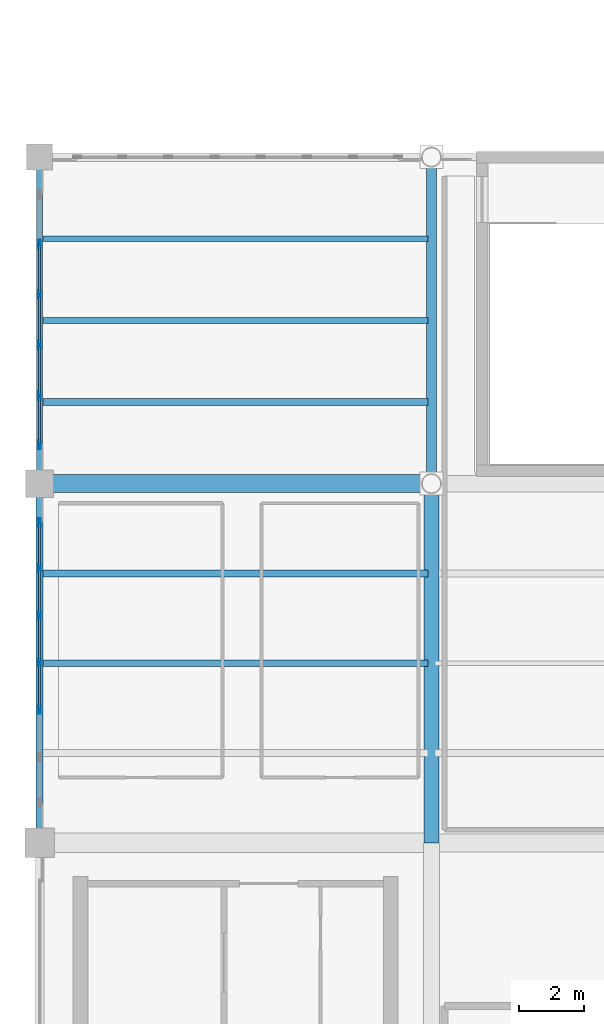
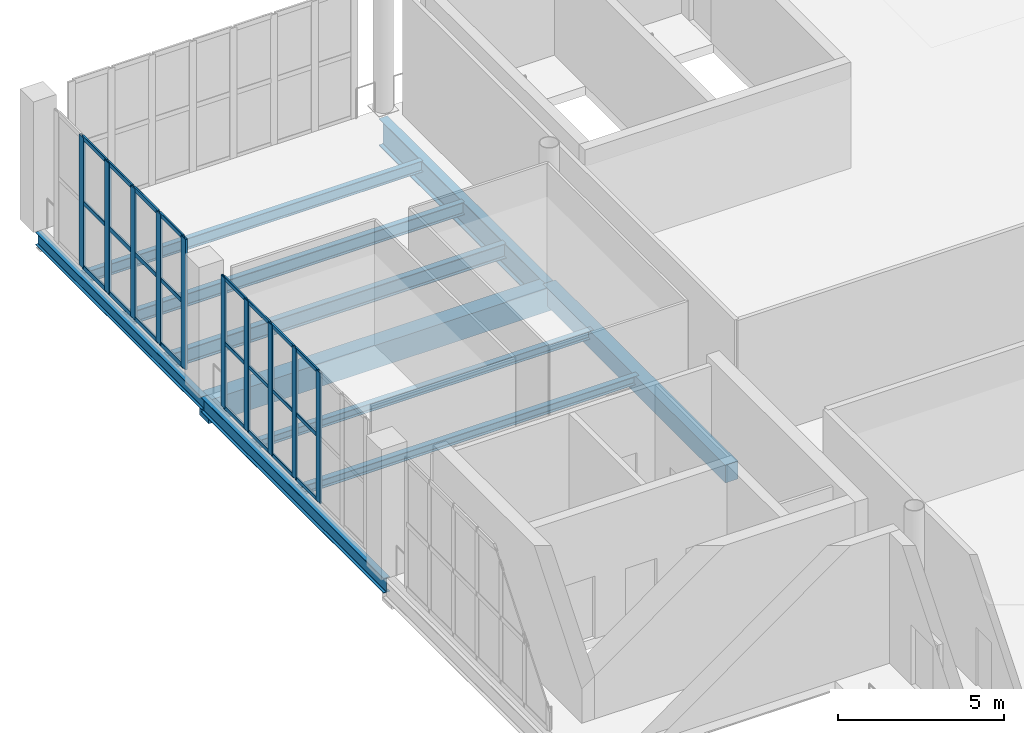
# One storey, part 23 of 49: 34 members, 10 beams, 2 elements without a shape of their own.
"""IFC4 building model written with IfcOpenShell, lengths in metres."""

from ifc_helpers import new_model, si_unit, direction, frame, origin, origin_2d, place, context, subcontext, project, spatial, rectangle, hollow_rectangle, i_section, extrude, material, layer, layer_set, material_profile, profile_set, type_object, element, aggregate, save


model = new_model("IFC4")

# Units and contexts
model_context = context("Model", 3, precision=1e-05, world=origin(), true_north=direction((0.0, 1.0)))
body_context = subcontext(model_context, "Body", "Model", "MODEL_VIEW")
ifc_project = project(units=[si_unit("LENGTHUNIT", "METRE"), si_unit("AREAUNIT", "SQUARE_METRE"), si_unit("VOLUMEUNIT", "CUBIC_METRE"), si_unit("PLANEANGLEUNIT", "RADIAN"), si_unit("MASSUNIT", "GRAM", prefix="KILO")], contexts=[model_context])

# Site, building, storey
site_placement = place(None, origin())
site = spatial("IfcSite", under=ifc_project, at=site_placement, CompositionType="ELEMENT")
building_placement = place(site_placement, origin())
building = spatial("IfcBuilding", under=site, at=building_placement, Name="Brinegate Civic Arena", CompositionType="ELEMENT")
storey_placement = place(building_placement, frame((0.0, 0.0, 24.60009765625)))
storey = spatial("IfcBuildingStorey", under=building, at=storey_placement, Name="L05", CompositionType="ELEMENT", Elevation=24.60009765625)

# Curtain wall, members
ifc_material_1 = material(Name="Marine grade aluminium", Category="aluminium")
ifc_layer = layer(ifc_material_1, 0.199951171875, Name="Marine grade aluminium")
ifc_layer_set = layer_set([ifc_layer], Name="Marine grade aluminium")
curtain_wall_type = type_object("IfcCurtainWallType", Name="CW-BOWL-GLAZED-01", PredefinedType="USERDEFINED", material=ifc_layer_set)
curtain_wall_1_placement = place(storey_placement, origin())
curtain_wall_1 = element("IfcCurtainWall", 1, at=curtain_wall_1_placement, inside=storey, type_object=curtain_wall_type, Name="Curtain Wall CWA-162", ObjectType="GLAZED CURTAIN WALL", PredefinedType="USERDEFINED")
ifc_material_profile_1 = material_profile(ifc_material_1, hollow_rectangle(XDim=0.074951171875, YDim=0.25, WallThickness=0.006103515625, InnerFilletRadius=0.00390625, OuterFilletRadius=0.008056640625, at=origin_2d()), Name="MUL75X250")
ifc_profile_set_1 = profile_set([ifc_material_profile_1], Name="Marine grade aluminium")
member_type_1 = type_object("IfcMemberType", Name="CW-MULLION-75X250", PredefinedType="MULLION", material=ifc_profile_set_1)
member_1_placement = place(storey_placement, frame((48.0, 97.07373046875, 0.0), z_axis=(0.0, 0.0, 1.0), x_axis=(-1.0, 0.0, 0.0)))
member_1 = element("IfcMember", 2, at=member_1_placement, type_object=member_type_1, Name="CWA-162 mullion 3", PredefinedType="MULLION", context=body_context, shape_type="SweptSolid", body=[
    extrude(hollow_rectangle(XDim=0.074951171875, YDim=0.25, WallThickness=0.006103515625, InnerFilletRadius=0.00390625, OuterFilletRadius=0.008056640625, at=origin_2d()), origin(), (0.0, 0.0, 1.0), 4.7998046875),
])
member_2_placement = place(storey_placement, frame((48.0, 98.517578125, 0.0), z_axis=(0.0, 0.0, 1.0), x_axis=(-1.0, 0.0, 0.0)))
member_2 = element("IfcMember", 3, at=member_2_placement, type_object=member_type_1, Name="CWA-162 mullion 4", PredefinedType="MULLION", context=body_context, shape_type="SweptSolid", body=[
    extrude(hollow_rectangle(XDim=0.074951171875, YDim=0.25, WallThickness=0.006103515625, InnerFilletRadius=0.00390625, OuterFilletRadius=0.008056640625, at=origin_2d()), origin(), (0.0, 0.0, 1.0), 4.7998046875),
])
member_3_placement = place(storey_placement, frame((48.0, 99.96142578125, 0.0), z_axis=(0.0, 0.0, 1.0), x_axis=(-1.0, 0.0, 0.0)))
member_3 = element("IfcMember", 4, at=member_3_placement, type_object=member_type_1, Name="CWA-162 mullion 5", PredefinedType="MULLION", context=body_context, shape_type="SweptSolid", body=[
    extrude(hollow_rectangle(XDim=0.074951171875, YDim=0.25, WallThickness=0.006103515625, InnerFilletRadius=0.00390625, OuterFilletRadius=0.008056640625, at=origin_2d()), origin(), (0.0, 0.0, 1.0), 4.7998046875),
])
member_4_placement = place(storey_placement, frame((48.0, 101.4052734375, 0.0), z_axis=(0.0, 0.0, 1.0), x_axis=(-1.0, 0.0, 0.0)))
member_4 = element("IfcMember", 5, at=member_4_placement, type_object=member_type_1, Name="CWA-162 mullion 6", PredefinedType="MULLION", context=body_context, shape_type="SweptSolid", body=[
    extrude(hollow_rectangle(XDim=0.074951171875, YDim=0.25, WallThickness=0.006103515625, InnerFilletRadius=0.00390625, OuterFilletRadius=0.008056640625, at=origin_2d()), origin(), (0.0, 0.0, 1.0), 4.7998046875),
])
member_5_placement = place(storey_placement, frame((48.0, 102.8115234375, 0.0), z_axis=(0.0, 0.0, 1.0), x_axis=(-1.0, 0.0, 0.0)))
member_5 = element("IfcMember", 6, at=member_5_placement, type_object=member_type_1, Name="CWA-162 mullion 7", PredefinedType="MULLION", context=body_context, shape_type="SweptSolid", body=[
    extrude(hollow_rectangle(XDim=0.074951171875, YDim=0.25, WallThickness=0.006103515625, InnerFilletRadius=0.00390625, OuterFilletRadius=0.008056640625, at=origin_2d()), origin(), (0.0, 0.0, 1.0), 4.7998046875),
])

curtain_wall_2_placement = place(storey_placement, origin())
curtain_wall_2 = element("IfcCurtainWall", 7, at=curtain_wall_2_placement, inside=storey, type_object=curtain_wall_type, Name="Curtain Wall CWA-163", ObjectType="GLAZED CURTAIN WALL", PredefinedType="USERDEFINED")
ifc_material_profile_2 = material_profile(ifc_material_1, hollow_rectangle(XDim=0.080078125, YDim=0.280029296875, WallThickness=0.007080078125, InnerFilletRadius=0.0048828125, OuterFilletRadius=0.010009765625, at=origin_2d()), Name="MUL80X280")
ifc_profile_set_2 = profile_set([ifc_material_profile_2], Name="Marine grade aluminium")
member_type_2 = type_object("IfcMemberType", Name="CW-MULLION-80X280", PredefinedType="MULLION", material=ifc_profile_set_2)
member_6_placement = place(storey_placement, frame((48.0, 105.19091796875, 0.0), z_axis=(0.0, 0.0, 1.0), x_axis=(-1.0, 0.0, 0.0)))
member_6 = element("IfcMember", 8, at=member_6_placement, type_object=member_type_2, Name="CWA-163 mullion 1", PredefinedType="MULLION", context=body_context, shape_type="SweptSolid", body=[
    extrude(hollow_rectangle(XDim=0.080078125, YDim=0.280029296875, WallThickness=0.007080078125, InnerFilletRadius=0.0048828125, OuterFilletRadius=0.010009765625, at=origin_2d()), origin(), (0.0, 0.0, 1.0), 4.7998046875),
])
member_7_placement = place(storey_placement, frame((48.0, 106.697509765625, 0.0), z_axis=(0.0, 0.0, 1.0), x_axis=(-1.0, 0.0, 0.0)))
member_7 = element("IfcMember", 9, at=member_7_placement, type_object=member_type_2, Name="CWA-163 mullion 2", PredefinedType="MULLION", context=body_context, shape_type="SweptSolid", body=[
    extrude(hollow_rectangle(XDim=0.080078125, YDim=0.280029296875, WallThickness=0.007080078125, InnerFilletRadius=0.0048828125, OuterFilletRadius=0.010009765625, at=origin_2d()), origin(), (0.0, 0.0, 1.0), 4.7998046875),
])
member_8_placement = place(storey_placement, frame((48.0, 108.244140625, 0.0), z_axis=(0.0, 0.0, 1.0), x_axis=(-1.0, 0.0, 0.0)))
member_8 = element("IfcMember", 10, at=member_8_placement, type_object=member_type_2, Name="CWA-163 mullion 3", PredefinedType="MULLION", context=body_context, shape_type="SweptSolid", body=[
    extrude(hollow_rectangle(XDim=0.080078125, YDim=0.280029296875, WallThickness=0.007080078125, InnerFilletRadius=0.0048828125, OuterFilletRadius=0.010009765625, at=origin_2d()), origin(), (0.0, 0.0, 1.0), 4.7998046875),
])
member_9_placement = place(storey_placement, frame((48.0, 109.790771484375, 0.0), z_axis=(0.0, 0.0, 1.0), x_axis=(-1.0, 0.0, 0.0)))
member_9 = element("IfcMember", 11, at=member_9_placement, type_object=member_type_2, Name="CWA-163 mullion 4", PredefinedType="MULLION", context=body_context, shape_type="SweptSolid", body=[
    extrude(hollow_rectangle(XDim=0.080078125, YDim=0.280029296875, WallThickness=0.007080078125, InnerFilletRadius=0.0048828125, OuterFilletRadius=0.010009765625, at=origin_2d()), origin(), (0.0, 0.0, 1.0), 4.7998046875),
])
member_10_placement = place(storey_placement, frame((48.0, 111.33740234375, 0.0), z_axis=(0.0, 0.0, 1.0), x_axis=(-1.0, 0.0, 0.0)))
member_10 = element("IfcMember", 12, at=member_10_placement, type_object=member_type_2, Name="CWA-163 mullion 5", PredefinedType="MULLION", context=body_context, shape_type="SweptSolid", body=[
    extrude(hollow_rectangle(XDim=0.080078125, YDim=0.280029296875, WallThickness=0.007080078125, InnerFilletRadius=0.0048828125, OuterFilletRadius=0.010009765625, at=origin_2d()), origin(), (0.0, 0.0, 1.0), 4.7998046875),
])

# Member
ifc_material_profile_3 = material_profile(ifc_material_1, hollow_rectangle(XDim=0.06494140625, YDim=0.139892578125, WallThickness=0.0048828125, InnerFilletRadius=0.00390625, OuterFilletRadius=0.008056640625, at=origin_2d()), Name="TRN65X140")
ifc_profile_set_3 = profile_set([ifc_material_profile_3], Name="Marine grade aluminium")
member_type_3 = type_object("IfcMemberType", Name="CW-TRANSOM-65X140", PredefinedType="USERDEFINED", material=ifc_profile_set_3)
member_11_placement = place(storey_placement, frame((48.0, 97.111083984375, 0.032470703125), z_axis=(0.0, 1.0, 0.0), x_axis=(-1.0, 0.0, 0.0)))
member_11 = element("IfcMember", 13, at=member_11_placement, type_object=member_type_3, Name="CWA-162 transom 3.1", ObjectType="TRANSOM", PredefinedType="USERDEFINED", context=body_context, shape_type="SweptSolid", body=[
    extrude(hollow_rectangle(XDim=0.06494140625, YDim=0.139892578125, WallThickness=0.0048828125, InnerFilletRadius=0.00390625, OuterFilletRadius=0.008056640625, at=origin_2d()), origin(), (0.0, 0.0, 1.0), 1.368896484375),
])

member_12_placement = place(storey_placement, frame((48.0, 97.111083984375, 2.39990234375), z_axis=(0.0, 1.0, 0.0), x_axis=(-1.0, 0.0, 0.0)))
member_12 = element("IfcMember", 14, at=member_12_placement, type_object=member_type_3, Name="CWA-162 transom 3.2", ObjectType="TRANSOM", PredefinedType="USERDEFINED", context=body_context, shape_type="SweptSolid", body=[
    extrude(hollow_rectangle(XDim=0.06494140625, YDim=0.139892578125, WallThickness=0.0048828125, InnerFilletRadius=0.00390625, OuterFilletRadius=0.008056640625, at=origin_2d()), origin(), (0.0, 0.0, 1.0), 1.368896484375),
])

member_13_placement = place(storey_placement, frame((48.0, 97.111083984375, 4.767333984375), z_axis=(0.0, 1.0, 0.0), x_axis=(-1.0, 0.0, 0.0)))
member_13 = element("IfcMember", 15, at=member_13_placement, type_object=member_type_3, Name="CWA-162 transom 3.3", ObjectType="TRANSOM", PredefinedType="USERDEFINED", context=body_context, shape_type="SweptSolid", body=[
    extrude(hollow_rectangle(XDim=0.06494140625, YDim=0.139892578125, WallThickness=0.0048828125, InnerFilletRadius=0.00390625, OuterFilletRadius=0.008056640625, at=origin_2d()), origin(), (0.0, 0.0, 1.0), 1.368896484375),
])

member_14_placement = place(storey_placement, frame((48.0, 98.554931640625, 0.032470703125), z_axis=(0.0, 1.0, 0.0), x_axis=(-1.0, 0.0, 0.0)))
member_14 = element("IfcMember", 16, at=member_14_placement, type_object=member_type_3, Name="CWA-162 transom 4.1", ObjectType="TRANSOM", PredefinedType="USERDEFINED", context=body_context, shape_type="SweptSolid", body=[
    extrude(hollow_rectangle(XDim=0.06494140625, YDim=0.139892578125, WallThickness=0.0048828125, InnerFilletRadius=0.00390625, OuterFilletRadius=0.008056640625, at=origin_2d()), origin(), (0.0, 0.0, 1.0), 1.368896484375),
])

member_15_placement = place(storey_placement, frame((48.0, 98.554931640625, 2.39990234375), z_axis=(0.0, 1.0, 0.0), x_axis=(-1.0, 0.0, 0.0)))
member_15 = element("IfcMember", 17, at=member_15_placement, type_object=member_type_3, Name="CWA-162 transom 4.2", ObjectType="TRANSOM", PredefinedType="USERDEFINED", context=body_context, shape_type="SweptSolid", body=[
    extrude(hollow_rectangle(XDim=0.06494140625, YDim=0.139892578125, WallThickness=0.0048828125, InnerFilletRadius=0.00390625, OuterFilletRadius=0.008056640625, at=origin_2d()), origin(), (0.0, 0.0, 1.0), 1.368896484375),
])

member_16_placement = place(storey_placement, frame((48.0, 98.554931640625, 4.767333984375), z_axis=(0.0, 1.0, 0.0), x_axis=(-1.0, 0.0, 0.0)))
member_16 = element("IfcMember", 18, at=member_16_placement, type_object=member_type_3, Name="CWA-162 transom 4.3", ObjectType="TRANSOM", PredefinedType="USERDEFINED", context=body_context, shape_type="SweptSolid", body=[
    extrude(hollow_rectangle(XDim=0.06494140625, YDim=0.139892578125, WallThickness=0.0048828125, InnerFilletRadius=0.00390625, OuterFilletRadius=0.008056640625, at=origin_2d()), origin(), (0.0, 0.0, 1.0), 1.368896484375),
])

member_17_placement = place(storey_placement, frame((48.0, 99.998779296875, 0.032470703125), z_axis=(0.0, 1.0, 0.0), x_axis=(-1.0, 0.0, 0.0)))
member_17 = element("IfcMember", 19, at=member_17_placement, type_object=member_type_3, Name="CWA-162 transom 5.1", ObjectType="TRANSOM", PredefinedType="USERDEFINED", context=body_context, shape_type="SweptSolid", body=[
    extrude(hollow_rectangle(XDim=0.06494140625, YDim=0.139892578125, WallThickness=0.0048828125, InnerFilletRadius=0.00390625, OuterFilletRadius=0.008056640625, at=origin_2d()), origin(), (0.0, 0.0, 1.0), 1.368896484375),
])

member_18_placement = place(storey_placement, frame((48.0, 99.998779296875, 2.39990234375), z_axis=(0.0, 1.0, 0.0), x_axis=(-1.0, 0.0, 0.0)))
member_18 = element("IfcMember", 20, at=member_18_placement, type_object=member_type_3, Name="CWA-162 transom 5.2", ObjectType="TRANSOM", PredefinedType="USERDEFINED", context=body_context, shape_type="SweptSolid", body=[
    extrude(hollow_rectangle(XDim=0.06494140625, YDim=0.139892578125, WallThickness=0.0048828125, InnerFilletRadius=0.00390625, OuterFilletRadius=0.008056640625, at=origin_2d()), origin(), (0.0, 0.0, 1.0), 1.368896484375),
])

member_19_placement = place(storey_placement, frame((48.0, 99.998779296875, 4.767333984375), z_axis=(0.0, 1.0, 0.0), x_axis=(-1.0, 0.0, 0.0)))
member_19 = element("IfcMember", 21, at=member_19_placement, type_object=member_type_3, Name="CWA-162 transom 5.3", ObjectType="TRANSOM", PredefinedType="USERDEFINED", context=body_context, shape_type="SweptSolid", body=[
    extrude(hollow_rectangle(XDim=0.06494140625, YDim=0.139892578125, WallThickness=0.0048828125, InnerFilletRadius=0.00390625, OuterFilletRadius=0.008056640625, at=origin_2d()), origin(), (0.0, 0.0, 1.0), 1.368896484375),
])

member_20_placement = place(storey_placement, frame((48.0, 101.442626953125, 0.032470703125), z_axis=(0.0, 1.0, 0.0), x_axis=(-1.0, 0.0, 0.0)))
member_20 = element("IfcMember", 22, at=member_20_placement, type_object=member_type_3, Name="CWA-162 transom 6.1", ObjectType="TRANSOM", PredefinedType="USERDEFINED", context=body_context, shape_type="SweptSolid", body=[
    extrude(hollow_rectangle(XDim=0.06494140625, YDim=0.139892578125, WallThickness=0.0048828125, InnerFilletRadius=0.00390625, OuterFilletRadius=0.008056640625, at=origin_2d()), origin(), (0.0, 0.0, 1.0), 1.331298828125),
])

member_21_placement = place(storey_placement, frame((48.0, 101.442626953125, 2.39990234375), z_axis=(0.0, 1.0, 0.0), x_axis=(-1.0, 0.0, 0.0)))
member_21 = element("IfcMember", 23, at=member_21_placement, type_object=member_type_3, Name="CWA-162 transom 6.2", ObjectType="TRANSOM", PredefinedType="USERDEFINED", context=body_context, shape_type="SweptSolid", body=[
    extrude(hollow_rectangle(XDim=0.06494140625, YDim=0.139892578125, WallThickness=0.0048828125, InnerFilletRadius=0.00390625, OuterFilletRadius=0.008056640625, at=origin_2d()), origin(), (0.0, 0.0, 1.0), 1.331298828125),
])

member_22_placement = place(storey_placement, frame((48.0, 101.442626953125, 4.767333984375), z_axis=(0.0, 1.0, 0.0), x_axis=(-1.0, 0.0, 0.0)))
member_22 = element("IfcMember", 24, at=member_22_placement, type_object=member_type_3, Name="CWA-162 transom 6.3", ObjectType="TRANSOM", PredefinedType="USERDEFINED", context=body_context, shape_type="SweptSolid", body=[
    extrude(hollow_rectangle(XDim=0.06494140625, YDim=0.139892578125, WallThickness=0.0048828125, InnerFilletRadius=0.00390625, OuterFilletRadius=0.008056640625, at=origin_2d()), origin(), (0.0, 0.0, 1.0), 1.331298828125),
])

aggregate(curtain_wall_1, [member_1, member_2, member_3, member_4, member_5, member_11, member_12, member_13, member_14, member_15, member_16, member_17, member_18, member_19, member_20, member_21, member_22])

ifc_material_profile_4 = material_profile(ifc_material_1, hollow_rectangle(XDim=0.06494140625, YDim=0.1650390625, WallThickness=0.0048828125, InnerFilletRadius=0.00390625, OuterFilletRadius=0.008056640625, at=origin_2d()), Name="TRN65X165")
ifc_profile_set_4 = profile_set([ifc_material_profile_4], Name="Marine grade aluminium")
member_type_4 = type_object("IfcMemberType", Name="CW-TRANSOM-65X165", PredefinedType="USERDEFINED", material=ifc_profile_set_4)
member_23_placement = place(storey_placement, frame((48.0, 105.23095703125, 0.032470703125), z_axis=(0.0, 1.0, 0.0), x_axis=(-1.0, 0.0, 0.0)))
member_23 = element("IfcMember", 25, at=member_23_placement, type_object=member_type_4, Name="CWA-163 transom 1.1", ObjectType="TRANSOM", PredefinedType="USERDEFINED", context=body_context, shape_type="SweptSolid", body=[
    extrude(hollow_rectangle(XDim=0.06494140625, YDim=0.1650390625, WallThickness=0.0048828125, InnerFilletRadius=0.00390625, OuterFilletRadius=0.008056640625, at=origin_2d()), origin(), (0.0, 0.0, 1.0), 1.4267578125),
])

member_24_placement = place(storey_placement, frame((48.0, 105.23095703125, 2.39990234375), z_axis=(0.0, 1.0, 0.0), x_axis=(-1.0, 0.0, 0.0)))
member_24 = element("IfcMember", 26, at=member_24_placement, type_object=member_type_4, Name="CWA-163 transom 1.2", ObjectType="TRANSOM", PredefinedType="USERDEFINED", context=body_context, shape_type="SweptSolid", body=[
    extrude(hollow_rectangle(XDim=0.06494140625, YDim=0.1650390625, WallThickness=0.0048828125, InnerFilletRadius=0.00390625, OuterFilletRadius=0.008056640625, at=origin_2d()), origin(), (0.0, 0.0, 1.0), 1.4267578125),
])

member_25_placement = place(storey_placement, frame((48.0, 105.23095703125, 4.767333984375), z_axis=(0.0, 1.0, 0.0), x_axis=(-1.0, 0.0, 0.0)))
member_25 = element("IfcMember", 27, at=member_25_placement, type_object=member_type_4, Name="CWA-163 transom 1.3", ObjectType="TRANSOM", PredefinedType="USERDEFINED", context=body_context, shape_type="SweptSolid", body=[
    extrude(hollow_rectangle(XDim=0.06494140625, YDim=0.1650390625, WallThickness=0.0048828125, InnerFilletRadius=0.00390625, OuterFilletRadius=0.008056640625, at=origin_2d()), origin(), (0.0, 0.0, 1.0), 1.4267578125),
])

member_26_placement = place(storey_placement, frame((48.0, 106.737548828125, 0.032470703125), z_axis=(0.0, 1.0, 0.0), x_axis=(-1.0, 0.0, 0.0)))
member_26 = element("IfcMember", 28, at=member_26_placement, type_object=member_type_4, Name="CWA-163 transom 2.1", ObjectType="TRANSOM", PredefinedType="USERDEFINED", context=body_context, shape_type="SweptSolid", body=[
    extrude(hollow_rectangle(XDim=0.06494140625, YDim=0.1650390625, WallThickness=0.0048828125, InnerFilletRadius=0.00390625, OuterFilletRadius=0.008056640625, at=origin_2d()), origin(), (0.0, 0.0, 1.0), 1.466552734375),
])

member_27_placement = place(storey_placement, frame((48.0, 106.737548828125, 2.39990234375), z_axis=(0.0, 1.0, 0.0), x_axis=(-1.0, 0.0, 0.0)))
member_27 = element("IfcMember", 29, at=member_27_placement, type_object=member_type_4, Name="CWA-163 transom 2.2", ObjectType="TRANSOM", PredefinedType="USERDEFINED", context=body_context, shape_type="SweptSolid", body=[
    extrude(hollow_rectangle(XDim=0.06494140625, YDim=0.1650390625, WallThickness=0.0048828125, InnerFilletRadius=0.00390625, OuterFilletRadius=0.008056640625, at=origin_2d()), origin(), (0.0, 0.0, 1.0), 1.466552734375),
])

member_28_placement = place(storey_placement, frame((48.0, 106.737548828125, 4.767333984375), z_axis=(0.0, 1.0, 0.0), x_axis=(-1.0, 0.0, 0.0)))
member_28 = element("IfcMember", 30, at=member_28_placement, type_object=member_type_4, Name="CWA-163 transom 2.3", ObjectType="TRANSOM", PredefinedType="USERDEFINED", context=body_context, shape_type="SweptSolid", body=[
    extrude(hollow_rectangle(XDim=0.06494140625, YDim=0.1650390625, WallThickness=0.0048828125, InnerFilletRadius=0.00390625, OuterFilletRadius=0.008056640625, at=origin_2d()), origin(), (0.0, 0.0, 1.0), 1.466552734375),
])

member_29_placement = place(storey_placement, frame((48.0, 108.2841796875, 0.032470703125), z_axis=(0.0, 1.0, 0.0), x_axis=(-1.0, 0.0, 0.0)))
member_29 = element("IfcMember", 31, at=member_29_placement, type_object=member_type_4, Name="CWA-163 transom 3.1", ObjectType="TRANSOM", PredefinedType="USERDEFINED", context=body_context, shape_type="SweptSolid", body=[
    extrude(hollow_rectangle(XDim=0.06494140625, YDim=0.1650390625, WallThickness=0.0048828125, InnerFilletRadius=0.00390625, OuterFilletRadius=0.008056640625, at=origin_2d()), origin(), (0.0, 0.0, 1.0), 1.466552734375),
])

member_30_placement = place(storey_placement, frame((48.0, 108.2841796875, 2.39990234375), z_axis=(0.0, 1.0, 0.0), x_axis=(-1.0, 0.0, 0.0)))
member_30 = element("IfcMember", 32, at=member_30_placement, type_object=member_type_4, Name="CWA-163 transom 3.2", ObjectType="TRANSOM", PredefinedType="USERDEFINED", context=body_context, shape_type="SweptSolid", body=[
    extrude(hollow_rectangle(XDim=0.06494140625, YDim=0.1650390625, WallThickness=0.0048828125, InnerFilletRadius=0.00390625, OuterFilletRadius=0.008056640625, at=origin_2d()), origin(), (0.0, 0.0, 1.0), 1.466552734375),
])

member_31_placement = place(storey_placement, frame((48.0, 108.2841796875, 4.767333984375), z_axis=(0.0, 1.0, 0.0), x_axis=(-1.0, 0.0, 0.0)))
member_31 = element("IfcMember", 33, at=member_31_placement, type_object=member_type_4, Name="CWA-163 transom 3.3", ObjectType="TRANSOM", PredefinedType="USERDEFINED", context=body_context, shape_type="SweptSolid", body=[
    extrude(hollow_rectangle(XDim=0.06494140625, YDim=0.1650390625, WallThickness=0.0048828125, InnerFilletRadius=0.00390625, OuterFilletRadius=0.008056640625, at=origin_2d()), origin(), (0.0, 0.0, 1.0), 1.466552734375),
])

member_32_placement = place(storey_placement, frame((48.0, 109.830810546875, 0.032470703125), z_axis=(0.0, 1.0, 0.0), x_axis=(-1.0, 0.0, 0.0)))
member_32 = element("IfcMember", 34, at=member_32_placement, type_object=member_type_4, Name="CWA-163 transom 4.1", ObjectType="TRANSOM", PredefinedType="USERDEFINED", context=body_context, shape_type="SweptSolid", body=[
    extrude(hollow_rectangle(XDim=0.06494140625, YDim=0.1650390625, WallThickness=0.0048828125, InnerFilletRadius=0.00390625, OuterFilletRadius=0.008056640625, at=origin_2d()), origin(), (0.0, 0.0, 1.0), 1.466552734375),
])

member_33_placement = place(storey_placement, frame((48.0, 109.830810546875, 2.39990234375), z_axis=(0.0, 1.0, 0.0), x_axis=(-1.0, 0.0, 0.0)))
member_33 = element("IfcMember", 35, at=member_33_placement, type_object=member_type_4, Name="CWA-163 transom 4.2", ObjectType="TRANSOM", PredefinedType="USERDEFINED", context=body_context, shape_type="SweptSolid", body=[
    extrude(hollow_rectangle(XDim=0.06494140625, YDim=0.1650390625, WallThickness=0.0048828125, InnerFilletRadius=0.00390625, OuterFilletRadius=0.008056640625, at=origin_2d()), origin(), (0.0, 0.0, 1.0), 1.466552734375),
])

member_34_placement = place(storey_placement, frame((48.0, 109.830810546875, 4.767333984375), z_axis=(0.0, 1.0, 0.0), x_axis=(-1.0, 0.0, 0.0)))
member_34 = element("IfcMember", 36, at=member_34_placement, type_object=member_type_4, Name="CWA-163 transom 4.3", ObjectType="TRANSOM", PredefinedType="USERDEFINED", context=body_context, shape_type="SweptSolid", body=[
    extrude(hollow_rectangle(XDim=0.06494140625, YDim=0.1650390625, WallThickness=0.0048828125, InnerFilletRadius=0.00390625, OuterFilletRadius=0.008056640625, at=origin_2d()), origin(), (0.0, 0.0, 1.0), 1.466552734375),
])

aggregate(curtain_wall_2, [member_6, member_7, member_8, member_9, member_10, member_23, member_24, member_25, member_26, member_27, member_28, member_29, member_30, member_31, member_32, member_33, member_34])

# Beams
ifc_material_2 = material(Name="Steel S355", Category="steel")
ifc_material_profile_5 = material_profile(ifc_material_2, i_section(OverallWidth=0.300048828125, OverallDepth=1.0, WebThickness=0.01904296875, FlangeThickness=0.031982421875, FilletRadius=0.02392578125, at=origin_2d()), Name="W1000X321")
ifc_profile_set_5 = profile_set([ifc_material_profile_5], Name="Steel S355")
beam_type_1 = type_object("IfcBeamType", Name="GIRDER-W1000X321", PredefinedType="BEAM", material=ifc_profile_set_5)
beam_1_placement = place(storey_placement, frame((60.0, 104.0, -0.830078125), z_axis=(0.0, 1.0, 0.0), x_axis=(-1.0, 0.0, 0.0)))
element("IfcBeam", 37, at=beam_1_placement, inside=storey, type_object=beam_type_1, Name="Floor Girder BM-L05-GY-05-10", PredefinedType="BEAM", context=body_context, shape_type="SweptSolid", body=[
    extrude(i_section(OverallWidth=0.300048828125, OverallDepth=1.0, WebThickness=0.01904296875, FlangeThickness=0.031982421875, FilletRadius=0.02392578125, at=origin_2d()), origin(), (0.0, 0.0, 1.0), 10.0),
])
ifc_material_profile_6 = material_profile(ifc_material_2, i_section(OverallWidth=0.202880859375, OverallDepth=0.302978515625, WebThickness=0.008056640625, FlangeThickness=0.012939453125, FilletRadius=0.012939453125, at=origin_2d()), Name="W310X60")
ifc_profile_set_6 = profile_set([ifc_material_profile_6], Name="Steel S355")
beam_type_2 = type_object("IfcBeamType", Name="JOIST-W310X60", PredefinedType="JOIST", material=ifc_profile_set_6)
beam_2_placement = place(storey_placement, frame((48.10595703125, 101.25, -0.481201171875), z_axis=(1.0, 0.0, 0.0), x_axis=(0.0, 1.0, 0.0)))
element("IfcBeam", 38, at=beam_2_placement, inside=storey, type_object=beam_type_2, Name="Secondary Joist BM-L05-JX-04-09-3", PredefinedType="JOIST", context=body_context, shape_type="SweptSolid", body=[
    extrude(i_section(OverallWidth=0.202880859375, OverallDepth=0.302978515625, WebThickness=0.008056640625, FlangeThickness=0.012939453125, FilletRadius=0.012939453125, at=origin_2d()), origin(), (0.0, 0.0, 1.0), 11.7880859375),
])
ifc_material_profile_7 = material_profile(ifc_material_2, i_section(OverallWidth=0.205078125, OverallDepth=0.31005859375, WebThickness=0.009033203125, FlangeThickness=0.01611328125, FilletRadius=0.012939453125, at=origin_2d()), Name="W310X74")
ifc_profile_set_7 = profile_set([ifc_material_profile_7], Name="Steel S355")
beam_type_3 = type_object("IfcBeamType", Name="JOIST-W310X74", PredefinedType="JOIST", material=ifc_profile_set_7)
beam_3_placement = place(storey_placement, frame((48.10595703125, 98.5, -0.485107421875), z_axis=(1.0, 0.0, 0.0), x_axis=(0.0, 1.0, 0.0)))
element("IfcBeam", 39, at=beam_3_placement, inside=storey, type_object=beam_type_3, Name="Secondary Joist BM-L05-JX-04-09-2", PredefinedType="JOIST", context=body_context, shape_type="SweptSolid", body=[
    extrude(i_section(OverallWidth=0.205078125, OverallDepth=0.31005859375, WebThickness=0.009033203125, FlangeThickness=0.01611328125, FilletRadius=0.012939453125, at=origin_2d()), origin(), (0.0, 0.0, 1.0), 11.7880859375),
])
ifc_material_profile_8 = material_profile(ifc_material_2, i_section(OverallWidth=0.179931640625, OverallDepth=0.4130859375, WebThickness=0.010009765625, FlangeThickness=0.01611328125, FilletRadius=0.013916015625, at=origin_2d()), Name="W410X75")
ifc_profile_set_8 = profile_set([ifc_material_profile_8], Name="Steel S355")
beam_type_4 = type_object("IfcBeamType", Name="JOIST-W410X75", PredefinedType="JOIST", material=ifc_profile_set_8)
beam_4_placement = place(storey_placement, frame((48.10595703125, 111.5, -0.5361328125), z_axis=(1.0, 0.0, 0.0), x_axis=(0.0, 1.0, 0.0)))
element("IfcBeam", 40, at=beam_4_placement, inside=storey, type_object=beam_type_4, Name="Secondary Joist BM-L05-JX-04-10-3", PredefinedType="JOIST", context=body_context, shape_type="SweptSolid", body=[
    extrude(i_section(OverallWidth=0.179931640625, OverallDepth=0.4130859375, WebThickness=0.010009765625, FlangeThickness=0.01611328125, FilletRadius=0.013916015625, at=origin_2d()), origin(), (0.0, 0.0, 1.0), 11.7880859375),
])
ifc_material_profile_9 = material_profile(ifc_material_2, i_section(OverallWidth=0.193115234375, OverallDepth=0.466064453125, WebThickness=0.010986328125, FlangeThickness=0.01904296875, FilletRadius=0.014892578125, at=origin_2d()), Name="W460X97")
ifc_profile_set_9 = profile_set([ifc_material_profile_9], Name="Steel S355")
beam_type_5 = type_object("IfcBeamType", Name="JOIST-W460X97", PredefinedType="JOIST", material=ifc_profile_set_9)
beam_5_placement = place(storey_placement, frame((48.10595703125, 109.0, -0.56298828125), z_axis=(1.0, 0.0, 0.0), x_axis=(0.0, 1.0, 0.0)))
element("IfcBeam", 41, at=beam_5_placement, inside=storey, type_object=beam_type_5, Name="Secondary Joist BM-L05-JX-04-10-2", PredefinedType="JOIST", context=body_context, shape_type="SweptSolid", body=[
    extrude(i_section(OverallWidth=0.193115234375, OverallDepth=0.466064453125, WebThickness=0.010986328125, FlangeThickness=0.01904296875, FilletRadius=0.014892578125, at=origin_2d()), origin(), (0.0, 0.0, 1.0), 11.7880859375),
])
ifc_material_profile_10 = material_profile(ifc_material_2, i_section(OverallWidth=0.2119140625, OverallDepth=0.5439453125, WebThickness=0.012939453125, FlangeThickness=0.02099609375, FilletRadius=0.01611328125, at=origin_2d()), Name="W530X123")
ifc_profile_set_10 = profile_set([ifc_material_profile_10], Name="Steel S355")
beam_type_6 = type_object("IfcBeamType", Name="JOIST-W530X123", PredefinedType="JOIST", material=ifc_profile_set_10)
beam_6_placement = place(storey_placement, frame((48.10595703125, 106.5, -0.60205078125), z_axis=(1.0, 0.0, 0.0), x_axis=(0.0, 1.0, 0.0)))
element("IfcBeam", 42, at=beam_6_placement, inside=storey, type_object=beam_type_6, Name="Secondary Joist BM-L05-JX-04-10-1", PredefinedType="JOIST", context=body_context, shape_type="SweptSolid", body=[
    extrude(i_section(OverallWidth=0.2119140625, OverallDepth=0.5439453125, WebThickness=0.012939453125, FlangeThickness=0.02099609375, FilletRadius=0.01611328125, at=origin_2d()), origin(), (0.0, 0.0, 1.0), 11.7880859375),
])
ifc_material_3 = material(Name="Concrete C50/60", Category="concrete")
ifc_material_profile_11 = material_profile(ifc_material_3, rectangle(XDim=0.449951171875, YDim=0.64990234375, at=origin_2d()), Name="RCB450X650")
ifc_profile_set_11 = profile_set([ifc_material_profile_11], Name="Concrete C50/60")
beam_type_7 = type_object("IfcBeamType", Name="RCG-450X650", PredefinedType="BEAM", material=ifc_profile_set_11)
beam_7_placement = place(storey_placement, frame((60.0, 93.0, -0.655029296875), z_axis=(0.0, 1.0, 0.0), x_axis=(-1.0, 0.0, 0.0)))
element("IfcBeam", 43, at=beam_7_placement, inside=storey, type_object=beam_type_7, Name="Floor Girder BM-L05-GY-05-09", PredefinedType="BEAM", context=body_context, shape_type="SweptSolid", body=[
    extrude(rectangle(XDim=0.449951171875, YDim=0.64990234375, at=origin_2d()), origin(), (0.0, 0.0, 1.0), 11.0),
])
ifc_material_profile_12 = material_profile(ifc_material_3, rectangle(XDim=0.550048828125, YDim=0.85009765625, at=origin_2d()), Name="RCB550X850")
ifc_profile_set_12 = profile_set([ifc_material_profile_12], Name="Concrete C50/60")
beam_type_8 = type_object("IfcBeamType", Name="RCG-550X850", PredefinedType="BEAM", material=ifc_profile_set_12)
beam_8_placement = place(storey_placement, frame((48.0, 104.0, -0.755126953125), z_axis=(1.0, 0.0, 0.0), x_axis=(0.0, 1.0, 0.0)))
element("IfcBeam", 44, at=beam_8_placement, inside=storey, type_object=beam_type_8, Name="Floor Girder BM-L05-GX-04-10", PredefinedType="BEAM", context=body_context, shape_type="SweptSolid", body=[
    extrude(rectangle(XDim=0.550048828125, YDim=0.85009765625, at=origin_2d()), origin(), (0.0, 0.0, 1.0), 12.0),
])
ifc_material_profile_13 = material_profile(ifc_material_2, i_section(OverallWidth=0.193115234375, OverallDepth=0.466064453125, WebThickness=0.010986328125, FlangeThickness=0.01904296875, FilletRadius=0.014892578125, at=origin_2d()), Name="W460X97")
ifc_profile_set_13 = profile_set([ifc_material_profile_13], Name="Steel S355")
beam_type_9 = type_object("IfcBeamType", Name="SPANDREL-W460X97", PredefinedType="SPANDREL", material=ifc_profile_set_13)
beam_9_placement = place(storey_placement, frame((48.0, 104.0, -0.56298828125), z_axis=(0.0, 1.0, 0.0), x_axis=(-1.0, 0.0, 0.0)))
element("IfcBeam", 45, at=beam_9_placement, inside=storey, type_object=beam_type_9, Name="Floor Girder BM-L05-GY-04-10", PredefinedType="SPANDREL", context=body_context, shape_type="SweptSolid", body=[
    extrude(i_section(OverallWidth=0.193115234375, OverallDepth=0.466064453125, WebThickness=0.010986328125, FlangeThickness=0.01904296875, FilletRadius=0.014892578125, at=origin_2d()), origin(), (0.0, 0.0, 1.0), 10.0),
])
ifc_material_profile_14 = material_profile(ifc_material_2, i_section(OverallWidth=0.2119140625, OverallDepth=0.5439453125, WebThickness=0.012939453125, FlangeThickness=0.02099609375, FilletRadius=0.01611328125, at=origin_2d()), Name="W530X123")
ifc_profile_set_14 = profile_set([ifc_material_profile_14], Name="Steel S355")
beam_type_10 = type_object("IfcBeamType", Name="SPANDREL-W530X123", PredefinedType="SPANDREL", material=ifc_profile_set_14)
beam_10_placement = place(storey_placement, frame((48.0, 93.0, -0.60205078125), z_axis=(0.0, 1.0, 0.0), x_axis=(-1.0, 0.0, 0.0)))
element("IfcBeam", 46, at=beam_10_placement, inside=storey, type_object=beam_type_10, Name="Floor Girder BM-L05-GY-04-09", PredefinedType="SPANDREL", context=body_context, shape_type="SweptSolid", body=[
    extrude(i_section(OverallWidth=0.2119140625, OverallDepth=0.5439453125, WebThickness=0.012939453125, FlangeThickness=0.02099609375, FilletRadius=0.01611328125, at=origin_2d()), origin(), (0.0, 0.0, 1.0), 11.0),
])

save(model, "model.ifc")
